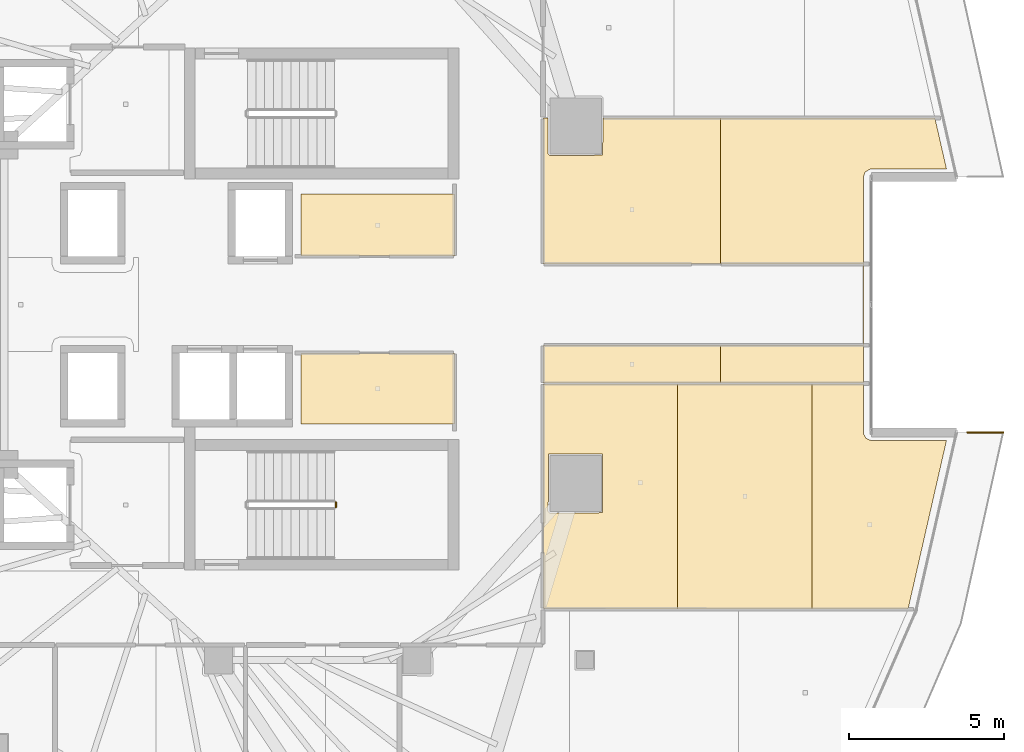
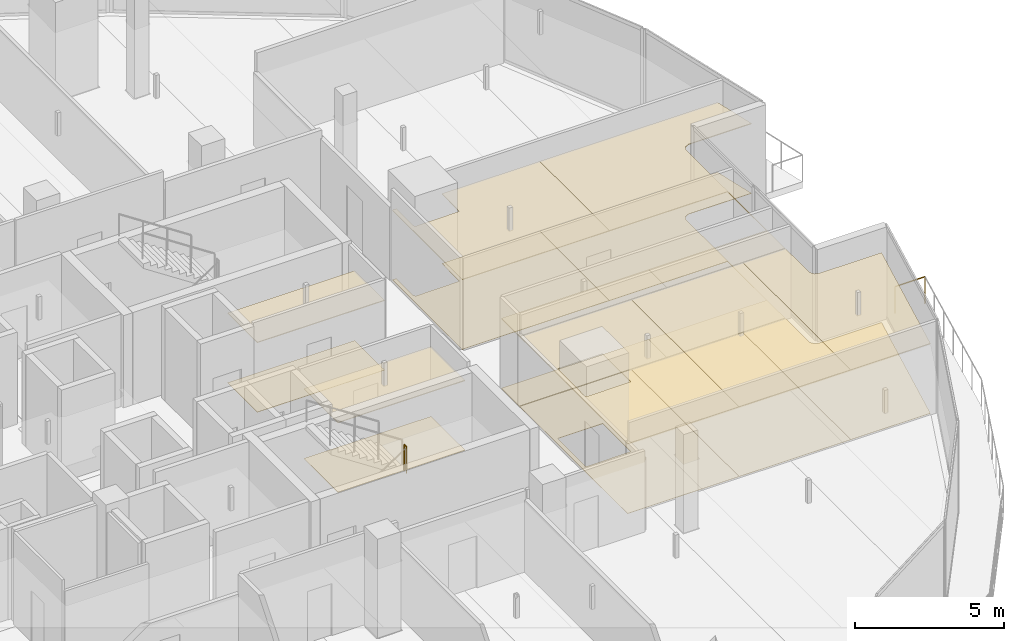
# One storey, part 31 of 33: 16 coverings, 2 railings.
"""IFC4 building model written with IfcOpenShell, lengths in metres."""

import ifcopenshell
import ifcopenshell.guid

model = None  # the IFC model being written
_history = None  # IfcOwnerHistory: only IFC2X3 demands one
_inside = {}  # id of a spatial element -> (the spatial element, [elements in it])
_under = {}  # id of a project, library or spatial element -> (it, [spatial elements below it])
_declared = {}  # id of a project -> (the project, [libraries it declares])
_typed = {}  # id of a type object -> (the type object, [elements of that type])
_made_of = {}  # id of a material, layer set ... -> (it, [elements and type objects made of it])


def new_model(schema):
    """Start an empty IFC model of exactly this schema.

    Asked for "IFC4X3", IfcOpenShell would pick the latest addendum, in which some entities
    have other attributes; the version numbers below select the first issue.
    IFC2X3 requires an IfcOwnerHistory on every rooted entity: one is made here for all.
    """
    global model, _history
    if schema == "IFC4X3":
        model = ifcopenshell.file(schema_version=(4, 3, 0, 0))
    else:
        model = ifcopenshell.file(schema=schema)
    _inside.clear()
    _under.clear()
    _declared.clear()
    _typed.clear()
    _made_of.clear()
    _history = None
    if model.schema == "IFC2X3":
        org = make("IfcOrganization", Name="unknown")
        user = make(
            "IfcPersonAndOrganization",
            ThePerson=make("IfcPerson", FamilyName="unknown"),
            TheOrganization=org,
        )
        app = make(
            "IfcApplication",
            ApplicationDeveloper=org,
            Version="unknown",
            ApplicationFullName="unknown",
            ApplicationIdentifier="unknown",
        )
        _history = make(
            "IfcOwnerHistory",
            OwningUser=user,
            OwningApplication=app,
            ChangeAction="ADDED",
            CreationDate=0,
        )
    return model


def make(cls, **values):
    """One entity of the class cls with the attributes given. An attribute that is None is left unset."""
    return model.create_entity(
        cls, **{name: value for name, value in values.items() if value is not None}
    )


def rooted(cls, **values):
    """An entity with a GlobalId (a new one), such as an element, a storey or a relation."""
    return make(cls, GlobalId=ifcopenshell.guid.new(), OwnerHistory=_history, **values)


def si_unit(unit_type, name, prefix=None):
    """IfcSIUnit, for example si_unit("LENGTHUNIT", "METRE", prefix="MILLI")."""
    return make("IfcSIUnit", UnitType=unit_type, Prefix=prefix, Name=name)


def assignment(units):
    """IfcUnitAssignment: the units of a project."""
    return None if units is None else make("IfcUnitAssignment", Units=units)


def point(xyz):
    """IfcCartesianPoint."""
    return None if xyz is None else make("IfcCartesianPoint", Coordinates=xyz)


def direction(xyz):
    """IfcDirection."""
    return None if xyz is None else make("IfcDirection", DirectionRatios=xyz)


def frame(location, z_axis=None, x_axis=None):
    """IfcAxis2Placement3D, a coordinate frame: its origin and axes. An axis left out is left unset."""
    return make(
        "IfcAxis2Placement3D",
        Location=point(location),
        Axis=direction(z_axis),
        RefDirection=direction(x_axis),
    )


def frame_2d(location, x_axis=None):
    """IfcAxis2Placement2D, a coordinate frame in the plane: its origin and x axis."""
    return make(
        "IfcAxis2Placement2D", Location=point(location), RefDirection=direction(x_axis)
    )


def origin():
    """The frame at (0, 0, 0) with its axes left unset."""
    return frame((0.0, 0.0, 0.0))


def origin_2d():
    """The frame at (0, 0) in the plane with its x axis left unset."""
    return frame_2d((0.0, 0.0))


def place(relative_to, where):
    """IfcLocalPlacement: puts the frame where relative to a parent placement (None: the world)."""
    return make(
        "IfcLocalPlacement", PlacementRelTo=relative_to, RelativePlacement=where
    )


def context(
    kind, dimensions, precision=None, world=None, true_north=None, identifier=None
):
    """IfcGeometricRepresentationContext, for example the 3D "Model" context."""
    return make(
        "IfcGeometricRepresentationContext",
        ContextIdentifier=identifier,
        ContextType=kind,
        CoordinateSpaceDimension=dimensions,
        Precision=precision,
        WorldCoordinateSystem=world,
        TrueNorth=true_north,
    )


def subcontext(parent, identifier, kind, view, scale=None):
    """IfcGeometricRepresentationSubContext, for example "Body" below "Model"."""
    return make(
        "IfcGeometricRepresentationSubContext",
        ContextIdentifier=identifier,
        ContextType=kind,
        ParentContext=parent,
        TargetScale=scale,
        TargetView=view,
    )


def project(units=None, contexts=None):
    """IfcProject with its units and contexts."""
    return rooted(
        "IfcProject",
        Name="project",
        RepresentationContexts=contexts,
        UnitsInContext=assignment(units),
    )


def spatial(cls, under=None, at=None, **own):
    """A site, building, storey or space (cls), placed at a placement, below another one or the project."""
    s = rooted(cls, ObjectPlacement=at, **own)
    if under is not None:
        _under.setdefault(under.id(), (under, []))[1].append(s)
    return s


def polyline(points):
    """IfcPolyline through the points."""
    return make("IfcPolyline", Points=[point(p) for p in points])


def profile(cls, at=None, kind="AREA", **sizes):
    """A parametric profile (cls). Its sizes go by their IFC names, for example OverallWidth=200.0."""
    return make(cls, ProfileType=kind, Position=at, **sizes)


def circle(**sizes):
    """IfcCircleProfileDef."""
    return profile("IfcCircleProfileDef", **sizes)


def outline(outer, holes=None, kind="AREA"):
    """IfcArbitraryClosedProfileDef: a profile drawn as a closed curve; with holes, ...WithVoids."""
    if holes is None:
        return make("IfcArbitraryClosedProfileDef", ProfileType=kind, OuterCurve=outer)
    return make(
        "IfcArbitraryProfileDefWithVoids",
        ProfileType=kind,
        OuterCurve=outer,
        InnerCurves=holes,
    )


def extrude(swept, where, along, depth):
    """IfcExtrudedAreaSolid: the profile swept, set in the frame where, extruded along a direction by depth."""
    return make(
        "IfcExtrudedAreaSolid",
        SweptArea=swept,
        Position=where,
        ExtrudedDirection=direction(along),
        Depth=depth,
    )


def shape(context_of_items, identifier, shape_type, items):
    """IfcShapeRepresentation: the items that make up one representation, for example the "Body"."""
    return make(
        "IfcShapeRepresentation",
        ContextOfItems=context_of_items,
        RepresentationIdentifier=identifier,
        RepresentationType=shape_type,
        Items=items,
    )


def material(Name=None, Category=None):
    """IfcMaterial."""
    return make("IfcMaterial", Name=Name, Category=Category)


def layer(
    of_material, thickness, ventilated=None, Name=None, Category=None, Priority=None
):
    """IfcMaterialLayer: one layer of a wall or slab, of a material (None: an air gap)."""
    return make(
        "IfcMaterialLayer",
        Material=of_material,
        LayerThickness=thickness,
        IsVentilated=ventilated,
        Name=Name,
        Category=Category,
        Priority=Priority,
    )


def layer_set(layers, Name=None):
    """IfcMaterialLayerSet."""
    return make("IfcMaterialLayerSet", MaterialLayers=layers, LayerSetName=Name)


def made_of(thing, what):
    """Note that an element or type object is made of a material, layer set ...; save() writes the relation."""
    if what is not None:
        _made_of.setdefault(what.id(), (what, []))[1].append(thing)
    return thing


def type_object(cls, material=None, **own):
    """A type object (cls), such as IfcWallType, which elements share."""
    return made_of(rooted(cls, **own), material)


def element(
    cls,
    number,
    at=None,
    inside=None,
    cuts=None,
    type_object=None,
    material=None,
    context=None,
    identifier="Body",
    shape_type=None,
    held_by="IfcProductDefinitionShape",
    body=None,
    shapes=None,
    **own,
):
    """One element of the class cls, such as IfcWall. Its Tag is "e" and its number.

    at: its placement. inside: the storey or other place that contains it. cuts: it is an
    opening in that element (IfcRelVoidsElement). A single representation is given by context,
    identifier, shape_type and body (its items); several are given by shapes. held_by: the class
    of the entity that holds the representations. save() writes the other relations.
    """
    e = rooted(cls, Tag="e%d" % number, ObjectPlacement=at, **own)
    if body is not None:
        shapes = [shape(context, identifier, shape_type, body)]
    if shapes is not None:
        e.Representation = make(held_by, Representations=shapes)
    if inside is not None:
        _inside.setdefault(inside.id(), (inside, []))[1].append(e)
    if cuts is not None:
        rooted(
            "IfcRelVoidsElement", RelatingBuildingElement=cuts, RelatedOpeningElement=e
        )
    if type_object is not None:
        _typed.setdefault(type_object.id(), (type_object, []))[1].append(e)
    return made_of(e, material)


def aggregate(whole, parts):
    """IfcRelAggregates: a whole, such as a stair, and the parts it consists of."""
    return rooted("IfcRelAggregates", RelatingObject=whole, RelatedObjects=parts)


def save(model, path):
    """Write the relations noted so far, then the file.

    IfcRelAggregates (storeys below a building ...), IfcRelContainedInSpatialStructure (elements
    in a storey), IfcRelDefinesByType, IfcRelAssociatesMaterial and IfcRelDeclares: one each for
    every whole, place, type object, material and project.
    """
    for whole, parts in _under.values():
        aggregate(whole, parts)
    for where, things in _inside.values():
        rooted(
            "IfcRelContainedInSpatialStructure",
            RelatedElements=things,
            RelatingStructure=where,
        )
    for kind, things in _typed.values():
        rooted("IfcRelDefinesByType", RelatedObjects=things, RelatingType=kind)
    for what, things in _made_of.values():
        rooted("IfcRelAssociatesMaterial", RelatedObjects=things, RelatingMaterial=what)
    for by, libraries in _declared.values():
        rooted("IfcRelDeclares", RelatingContext=by, RelatedDefinitions=libraries)
    model.write(path)


model = new_model("IFC4")

# Units and contexts
model_context = context("Model", 3, precision=1e-05, world=origin(), true_north=direction((0.0, 1.0)))
body_context = subcontext(model_context, "Body", "Model", "MODEL_VIEW")
ifc_project = project(units=[si_unit("LENGTHUNIT", "METRE"), si_unit("AREAUNIT", "SQUARE_METRE"), si_unit("VOLUMEUNIT", "CUBIC_METRE"), si_unit("PLANEANGLEUNIT", "RADIAN"), si_unit("MASSUNIT", "GRAM", prefix="KILO")], contexts=[model_context])

# Site, building, storey
site_placement = place(None, origin())
site = spatial("IfcSite", under=ifc_project, at=site_placement, CompositionType="ELEMENT")
building_placement = place(site_placement, origin())
building = spatial("IfcBuilding", under=site, at=building_placement, Name="Qorvath Tower", CompositionType="ELEMENT")
storey_placement = place(building_placement, frame((0.0, 0.0, 237.449951171875)))
storey = spatial("IfcBuildingStorey", under=building, at=storey_placement, Name="L55", CompositionType="ELEMENT", Elevation=237.449951171875)

# Coverings
ifc_material_1 = material(Name="Acoustic mineral fibre ceiling tile", Category="gypsum")
ifc_layer_1 = layer(ifc_material_1, 0.030029296875)
ifc_layer_set_1 = layer_set([ifc_layer_1], Name="COV-CEIL")
covering_type_1 = type_object("IfcCoveringType", Name="COV-CEIL", PredefinedType="CEILING", material=ifc_layer_set_1)
covering_1_placement = place(storey_placement, frame((0.0, 0.0, 2.85009765625)))
element("IfcCovering", 1, at=covering_1_placement, inside=storey, type_object=covering_type_1, Name="L55 Suspended Acoustic Ceiling 003", PredefinedType="CEILING", context=body_context, shape_type="SweptSolid", body=[
    extrude(outline(polyline([(-16.0048828125, 3.56005859375), (-20.93994140625, 3.56005859375), (-20.93994140625, 1.56494140625), (-16.0048828125, 1.56494140625), (-16.0048828125, 3.56005859375)])), origin(), (0.0, 0.0, 1.0), 0.030029296875),
])
covering_2_placement = place(storey_placement, frame((0.0, 0.0, 2.85009765625)))
element("IfcCovering", 2, at=covering_2_placement, inside=storey, type_object=covering_type_1, Name="L55 Suspended Acoustic Ceiling 004", PredefinedType="CEILING", context=body_context, shape_type="SweptSolid", body=[
    extrude(outline(polyline([(-20.93994140625, -1.56494140625), (-20.93994140625, -3.85009765625), (-16.0048828125, -3.85009765625), (-16.0048828125, -1.56494140625), (-20.93994140625, -1.56494140625)])), origin(), (0.0, 0.0, 1.0), 0.030029296875),
])
covering_3_placement = place(storey_placement, frame((0.0, 0.0, 2.85009765625)))
element("IfcCovering", 3, at=covering_3_placement, inside=storey, type_object=covering_type_1, Name="L55 Suspended Acoustic Ceiling 030", PredefinedType="CEILING", context=body_context, shape_type="SweptSolid", body=[
    extrude(outline(polyline([(-8.80859375, -9.79443359375), (-8.80859375, -2.546875), (-13.136962890625, -2.546875), (-13.136962890625, -9.792724609375), (-8.80859375, -9.79443359375)]), holes=[polyline([(-12.981689453125, -6.657958984375), (-12.964111328125, -4.8154296875), (-11.2294921875, -4.8154296875), (-11.2294921875, -6.700439453125), (-12.921875, -6.718017578125), (-12.981689453125, -6.657958984375)])]), origin(), (0.0, 0.0, 1.0), 0.030029296875),
])
covering_4_placement = place(storey_placement, frame((0.0, 0.0, 2.85009765625)))
element("IfcCovering", 4, at=covering_4_placement, inside=storey, type_object=covering_type_1, Name="L55 Suspended Acoustic Ceiling 031", PredefinedType="CEILING", context=body_context, shape_type="SweptSolid", body=[
    extrude(outline(polyline([(-4.480224609375, -9.7958984375), (-4.480224609375, -2.546875), (-8.80859375, -2.546875), (-8.80859375, -9.79443359375), (-4.480224609375, -9.7958984375)])), origin(), (0.0, 0.0, 1.0), 0.030029296875),
])
covering_5_placement = place(storey_placement, frame((0.0, 0.0, 2.85009765625)))
element("IfcCovering", 5, at=covering_5_placement, inside=storey, type_object=covering_type_1, Name="L55 Suspended Acoustic Ceiling 032", PredefinedType="CEILING", context=body_context, shape_type="SweptSolid", body=[
    extrude(outline(polyline([(-2.73828125, -4.310546875), (-2.82568359375, -4.16357421875), (-2.830322265625, -2.546875), (-4.480224609375, -2.546875), (-4.480224609375, -9.7958984375), (-1.388916015625, -9.797119140625), (-0.15185546875, -4.369873046875), (-2.599853515625, -4.36865234375), (-2.73828125, -4.310546875)])), origin(), (0.0, 0.0, 1.0), 0.030029296875),
])
covering_6_placement = place(storey_placement, frame((0.0, 0.0, 2.85009765625)))
element("IfcCovering", 6, at=covering_6_placement, inside=storey, type_object=covering_type_1, Name="L55 Suspended Acoustic Ceiling 033", PredefinedType="CEILING", context=body_context, shape_type="SweptSolid", body=[
    extrude(outline(polyline([(-7.4248046875, 1.31298828125), (-7.4248046875, 6.0078125), (-11.2119140625, 6.0078125), (-11.2294921875, 4.8154296875), (-12.921875, 4.7978515625), (-12.981689453125, 4.85791015625), (-12.981689453125, 6.0078125), (-13.136962890625, 6.0078125), (-13.136962890625, 1.31298828125), (-7.4248046875, 1.31298828125)])), origin(), (0.0, 0.0, 1.0), 0.030029296875),
])
covering_7_placement = place(storey_placement, frame((0.0, 0.0, 2.85009765625)))
element("IfcCovering", 7, at=covering_7_placement, inside=storey, type_object=covering_type_1, Name="L55 Suspended Acoustic Ceiling 034", PredefinedType="CEILING", context=body_context, shape_type="SweptSolid", body=[
    extrude(outline(polyline([(-7.4248046875, -2.52880859375), (-7.4248046875, -1.310302734375), (-13.136962890625, -1.31298828125), (-13.136962890625, -2.52880859375), (-7.4248046875, -2.52880859375)])), origin(), (0.0, 0.0, 1.0), 0.030029296875),
])
covering_8_placement = place(storey_placement, frame((0.0, 0.0, 2.85009765625)))
element("IfcCovering", 8, at=covering_8_placement, inside=storey, type_object=covering_type_1, Name="L55 Suspended Acoustic Ceiling 035", PredefinedType="CEILING", context=body_context, shape_type="SweptSolid", body=[
    extrude(outline(polyline([(-2.77099609375, 4.27783203125), (-2.599853515625, 4.36865234375), (-0.15185546875, 4.369873046875), (-0.52490234375, 6.0078125), (-7.4248046875, 6.0078125), (-7.4248046875, 1.31298828125), (-2.847412109375, 1.31298828125), (-2.84228515625, -1.30810546875), (-7.4248046875, -1.310302734375), (-7.4248046875, -2.52880859375), (-2.830322265625, -2.52880859375), (-2.830322265625, 4.11474609375), (-2.77099609375, 4.27783203125)])), origin(), (0.0, 0.0, 1.0), 0.030029296875),
])
ifc_material_2 = material(Name="Low-VOC modular carpet tile", Category="textile")
ifc_layer_2 = layer(ifc_material_2, 0.014892578125)
ifc_layer_set_2 = layer_set([ifc_layer_2], Name="COV-FLOOR-CPT")
covering_type_2 = type_object("IfcCoveringType", Name="COV-FLOOR-CPT", PredefinedType="FLOORING", material=ifc_layer_set_2)
covering_9_placement = place(storey_placement, origin())
element("IfcCovering", 9, at=covering_9_placement, inside=storey, type_object=covering_type_2, Name="L55 Floor Finish 003", PredefinedType="FLOORING", context=body_context, shape_type="SweptSolid", body=[
    extrude(outline(polyline([(-16.0048828125, 3.56005859375), (-20.93994140625, 3.56005859375), (-20.93994140625, 1.56494140625), (-16.0048828125, 1.56494140625), (-16.0048828125, 3.56005859375)])), origin(), (0.0, 0.0, 1.0), 0.01513671875),
])
covering_10_placement = place(storey_placement, origin())
element("IfcCovering", 10, at=covering_10_placement, inside=storey, type_object=covering_type_2, Name="L55 Floor Finish 004", PredefinedType="FLOORING", context=body_context, shape_type="SweptSolid", body=[
    extrude(outline(polyline([(-20.93994140625, -1.56494140625), (-20.93994140625, -3.85009765625), (-16.0048828125, -3.85009765625), (-16.0048828125, -1.56494140625), (-20.93994140625, -1.56494140625)])), origin(), (0.0, 0.0, 1.0), 0.01513671875),
])
covering_11_placement = place(storey_placement, origin())
element("IfcCovering", 11, at=covering_11_placement, inside=storey, type_object=covering_type_2, Name="L55 Floor Finish 030", PredefinedType="FLOORING", context=body_context, shape_type="SweptSolid", body=[
    extrude(outline(polyline([(-8.80859375, -9.79443359375), (-8.80859375, -2.546875), (-13.136962890625, -2.546875), (-13.136962890625, -9.792724609375), (-8.80859375, -9.79443359375)]), holes=[polyline([(-12.981689453125, -6.657958984375), (-12.964111328125, -4.8154296875), (-11.2294921875, -4.8154296875), (-11.2294921875, -6.700439453125), (-12.921875, -6.718017578125), (-12.981689453125, -6.657958984375)])]), origin(), (0.0, 0.0, 1.0), 0.01513671875),
])
covering_12_placement = place(storey_placement, origin())
element("IfcCovering", 12, at=covering_12_placement, inside=storey, type_object=covering_type_2, Name="L55 Floor Finish 031", PredefinedType="FLOORING", context=body_context, shape_type="SweptSolid", body=[
    extrude(outline(polyline([(-4.480224609375, -9.7958984375), (-4.480224609375, -2.546875), (-8.80859375, -2.546875), (-8.80859375, -9.79443359375), (-4.480224609375, -9.7958984375)])), origin(), (0.0, 0.0, 1.0), 0.01513671875),
])
covering_13_placement = place(storey_placement, origin())
element("IfcCovering", 13, at=covering_13_placement, inside=storey, type_object=covering_type_2, Name="L55 Floor Finish 032", PredefinedType="FLOORING", context=body_context, shape_type="SweptSolid", body=[
    extrude(outline(polyline([(-2.73828125, -4.310546875), (-2.82568359375, -4.16357421875), (-2.830322265625, -2.546875), (-4.480224609375, -2.546875), (-4.480224609375, -9.7958984375), (-1.388916015625, -9.797119140625), (-0.15185546875, -4.369873046875), (-2.599853515625, -4.36865234375), (-2.73828125, -4.310546875)])), origin(), (0.0, 0.0, 1.0), 0.01513671875),
])
covering_14_placement = place(storey_placement, origin())
element("IfcCovering", 14, at=covering_14_placement, inside=storey, type_object=covering_type_2, Name="L55 Floor Finish 033", PredefinedType="FLOORING", context=body_context, shape_type="SweptSolid", body=[
    extrude(outline(polyline([(-7.4248046875, 1.31298828125), (-7.4248046875, 6.0078125), (-11.2119140625, 6.0078125), (-11.2294921875, 4.8154296875), (-12.921875, 4.7978515625), (-12.981689453125, 4.85791015625), (-12.981689453125, 6.0078125), (-13.136962890625, 6.0078125), (-13.136962890625, 1.31298828125), (-7.4248046875, 1.31298828125)])), origin(), (0.0, 0.0, 1.0), 0.01513671875),
])
covering_15_placement = place(storey_placement, origin())
element("IfcCovering", 15, at=covering_15_placement, inside=storey, type_object=covering_type_2, Name="L55 Floor Finish 034", PredefinedType="FLOORING", context=body_context, shape_type="SweptSolid", body=[
    extrude(outline(polyline([(-7.4248046875, -2.52880859375), (-7.4248046875, -1.310302734375), (-13.136962890625, -1.31298828125), (-13.136962890625, -2.52880859375), (-7.4248046875, -2.52880859375)])), origin(), (0.0, 0.0, 1.0), 0.01513671875),
])
covering_16_placement = place(storey_placement, origin())
element("IfcCovering", 16, at=covering_16_placement, inside=storey, type_object=covering_type_2, Name="L55 Floor Finish 035", PredefinedType="FLOORING", context=body_context, shape_type="SweptSolid", body=[
    extrude(outline(polyline([(-2.77099609375, 4.27783203125), (-2.599853515625, 4.36865234375), (-0.15185546875, 4.369873046875), (-0.52490234375, 6.0078125), (-7.4248046875, 6.0078125), (-7.4248046875, 1.31298828125), (-2.847412109375, 1.31298828125), (-2.84228515625, -1.30810546875), (-7.4248046875, -1.310302734375), (-7.4248046875, -2.52880859375), (-2.830322265625, -2.52880859375), (-2.830322265625, 4.11474609375), (-2.77099609375, 4.27783203125)])), origin(), (0.0, 0.0, 1.0), 0.01513671875),
])

# Railings
ifc_material_3 = material(Name="Laminated safety glass and stainless steel AISI 316", Category="steel")
railing_type_1 = type_object("IfcRailingType", Name="RL-EXT-GRD", PredefinedType="GUARDRAIL", material=ifc_material_3)
railing_1_placement = place(storey_placement, frame((0.517578125, -4.11474609375, 0.0)))
element("IfcRailing", 17, at=railing_1_placement, inside=storey, type_object=railing_type_1, Name="Loggia Perimeter Guardrail L55-1.2", PredefinedType="GUARDRAIL", context=body_context, shape_type="SweptSolid", body=[
    extrude(circle(Radius=0.02392578125, at=origin_2d()), frame((0.0, 0.0, 1.09619140625), z_axis=(1.0, 0.0, 0.0), x_axis=(0.0, 1.0, 0.0)), (0.0, 0.0, 1.0), 1.158935546875),
    extrude(circle(Radius=0.02099609375, at=origin_2d()), origin(), (0.0, 0.0, 1.0), 1.072021484375),
    extrude(circle(Radius=0.02099609375, at=origin_2d()), frame((1.158935546875, 0.0, 0.0)), (0.0, 0.0, 1.0), 1.072021484375),
])
ifc_material_4 = material(Name="Painted galvanised steel", Category="steel")
railing_type_2 = type_object("IfcRailingType", Name="RL-STR-GRD", PredefinedType="GUARDRAIL", material=ifc_material_4)
railing_2_placement = place(storey_placement, frame((-19.820068359375, -6.52001953125, 2.025146484375)))
element("IfcRailing", 18, at=railing_2_placement, inside=storey, type_object=railing_type_2, Name="L55 TS2 stair guard 2", PredefinedType="GUARDRAIL", context=body_context, shape_type="SweptSolid", body=[
    extrude(circle(Radius=0.02392578125, at=origin_2d()), frame((0.0, 0.0, 1.076171875), z_axis=(0.0, 1.0, 0.0), x_axis=(-1.0, 0.0, 0.0)), (0.0, 0.0, 1.0), 0.14990234375),
    extrude(circle(Radius=0.02099609375, at=origin_2d()), origin(), (0.0, 0.0, 1.0), 1.052001953125),
    extrude(circle(Radius=0.02099609375, at=origin_2d()), frame((0.0, 0.14990234375, 0.0)), (0.0, 0.0, 1.0), 1.052001953125),
])

save(model, "model.ifc")
